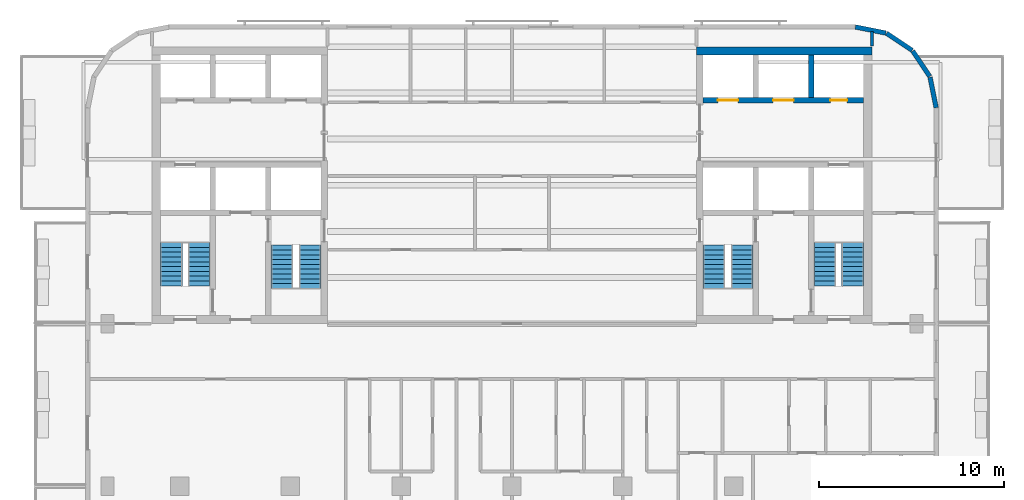
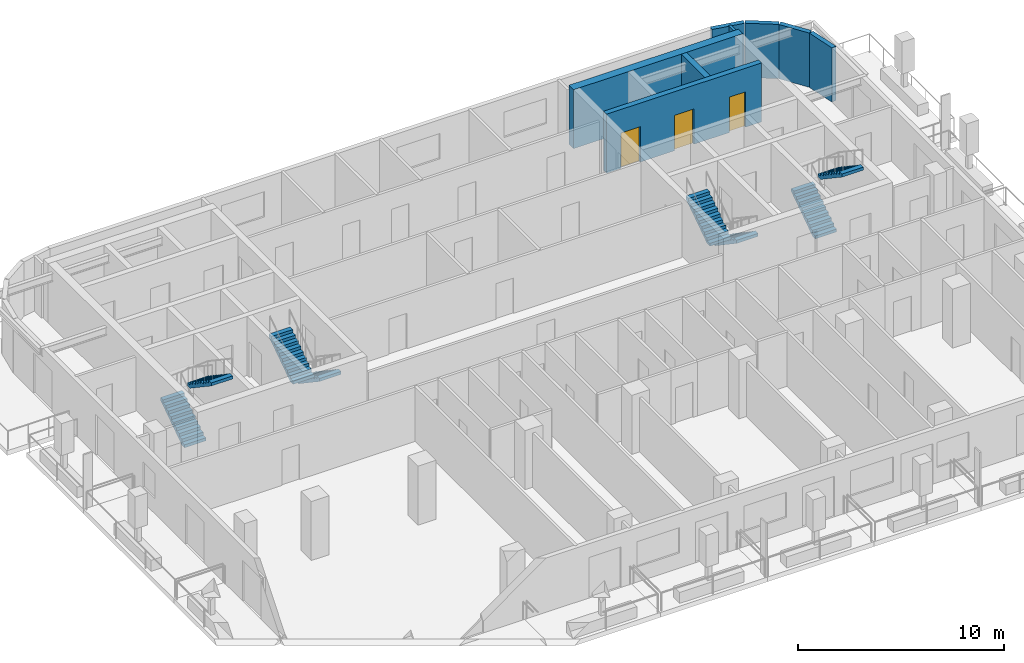
# One storey, part 7 of 11: 8 stair flights, 8 walls, 3 doors, 3 openings, 4 elements without a shape of their own.
"""IFC4 building model written with IfcOpenShell, lengths in metres."""

from ifc_helpers import new_model, si_unit, direction, frame, frame_2d, origin, place, context, subcontext, project, spatial, polyline, rectangle, outline, extrude, material, layer, layer_set, type_object, element, fill, aggregate, save


model = new_model("IFC4")

# Units and contexts
model_context = context("Model", 3, precision=1e-05, world=origin(), true_north=direction((0.0, 1.0)))
body_context = subcontext(model_context, "Body", "Model", "MODEL_VIEW")
ifc_project = project(units=[si_unit("LENGTHUNIT", "METRE"), si_unit("AREAUNIT", "SQUARE_METRE"), si_unit("VOLUMEUNIT", "CUBIC_METRE"), si_unit("PLANEANGLEUNIT", "RADIAN"), si_unit("MASSUNIT", "GRAM", prefix="KILO")], contexts=[model_context])

# Site, building, storey
site_placement = place(None, origin())
site = spatial("IfcSite", under=ifc_project, at=site_placement, CompositionType="ELEMENT")
building_placement = place(site_placement, origin())
building = spatial("IfcBuilding", under=site, at=building_placement, Name="Torana Hotel and Residences", CompositionType="ELEMENT")
storey_placement = place(building_placement, frame((0.0, 0.0, 266.60009765625)))
storey = spatial("IfcBuildingStorey", under=building, at=storey_placement, Name="L70", CompositionType="ELEMENT", Elevation=266.60009765625)

# Wall, openings, doors
ifc_material_1 = material(Name="Concrete C60/75", Category="concrete")
ifc_layer_1 = layer(ifc_material_1, 0.300048828125)
ifc_layer_set_1 = layer_set([ifc_layer_1], Name="CORE WALL 300 C60/75")
wall_type_1 = type_object("IfcWallType", Name="CORE WALL 300 C60/75", PredefinedType="SHEAR", material=ifc_layer_set_1)
wall_1_placement = place(storey_placement, frame((10.35009765625, -2.89990234375, 0.0), z_axis=(0.0, 0.0, 1.0), x_axis=(1.0, 0.0, 0.0)))
wall_1 = element("IfcWall", 1, at=wall_1_placement, inside=storey, type_object=wall_type_1, Name="Core wall E row-N", PredefinedType="SHEAR", context=body_context, shape_type="SweptSolid", body=[
    extrude(rectangle(XDim=8.699951171875, YDim=0.300048828125, at=frame_2d((4.35009765625, 0.0))), origin(), (0.0, 0.0, 1.0), 3.5),
])
opening_1_placement = place(wall_1_placement, frame((0.800048828125, 0.0, 0.0)))
opening_1 = element("IfcOpeningElement", 2, at=opening_1_placement, cuts=wall_1, Name="Opening LD", PredefinedType="OPENING", context=body_context, shape_type="SweptSolid", body=[
    extrude(rectangle(XDim=1.10009765625, YDim=2.10009765625, at=frame_2d((0.550048828125, 1.050048828125))), frame((0.0, 0.159912109375, 0.0), z_axis=(0.0, -1.0, 0.0), x_axis=(1.0, 0.0, 0.0)), (0.0, 0.0, 1.0), 0.320068359375),
])
opening_2_placement = place(wall_1_placement, frame((3.800048828125, 0.0, 0.0)))
opening_2 = element("IfcOpeningElement", 3, at=opening_2_placement, cuts=wall_1, Name="Opening LD", PredefinedType="OPENING", context=body_context, shape_type="SweptSolid", body=[
    extrude(rectangle(XDim=1.10009765625, YDim=2.10009765625, at=frame_2d((0.550048828125, 1.050048828125))), frame((0.0, 0.159912109375, 0.0), z_axis=(0.0, -1.0, 0.0), x_axis=(1.0, 0.0, 0.0)), (0.0, 0.0, 1.0), 0.320068359375),
])
opening_3_placement = place(wall_1_placement, frame((6.89990234375, 0.0, 0.0)))
opening_3 = element("IfcOpeningElement", 4, at=opening_3_placement, cuts=wall_1, Name="Opening L70-14", PredefinedType="OPENING", context=body_context, shape_type="SweptSolid", body=[
    extrude(rectangle(XDim=0.89990234375, YDim=2.10009765625, at=frame_2d((0.449951171875, 1.050048828125))), frame((0.0, 0.159912109375, 0.0), z_axis=(0.0, -1.0, 0.0), x_axis=(1.0, 0.0, 0.0)), (0.0, 0.0, 1.0), 0.320068359375),
])
ifc_material_2 = material(Name="Stainless steel 316", Category="steel")
door_type_1 = type_object("IfcDoorType", Name="LIFT LANDING DOOR LD 1100x2100", OperationType="DOUBLE_DOOR_SLIDING", PredefinedType="USERDEFINED", material=ifc_material_2)
door_1_placement = place(opening_1_placement, origin())
door_1 = element("IfcDoor", 5, at=door_1_placement, inside=storey, type_object=door_type_1, Name="Lift landing door H3 L70", ObjectType="LIFT LANDING DOOR", OperationType="DOUBLE_DOOR_SLIDING", OverallHeight=2.10009765625, OverallWidth=1.10009765625, PredefinedType="USERDEFINED", context=body_context, shape_type="SweptSolid", body=[
    extrude(rectangle(XDim=1.10009765625, YDim=2.10009765625, at=frame_2d((0.550048828125, 1.050048828125))), frame((0.0, 0.02490234375, 0.0), z_axis=(0.0, -1.0, 0.0), x_axis=(1.0, 0.0, 0.0)), (0.0, 0.0, 1.0), 0.050048828125),
])
fill(opening_1, door_1)
door_2_placement = place(opening_2_placement, origin())
door_2 = element("IfcDoor", 6, at=door_2_placement, inside=storey, type_object=door_type_1, Name="Lift landing door H4 L70", ObjectType="LIFT LANDING DOOR", OperationType="DOUBLE_DOOR_SLIDING", OverallHeight=2.10009765625, OverallWidth=1.10009765625, PredefinedType="USERDEFINED", context=body_context, shape_type="SweptSolid", body=[
    extrude(rectangle(XDim=1.10009765625, YDim=2.10009765625, at=frame_2d((0.550048828125, 1.050048828125))), frame((0.0, 0.02490234375, 0.0), z_axis=(0.0, -1.0, 0.0), x_axis=(1.0, 0.0, 0.0)), (0.0, 0.0, 1.0), 0.050048828125),
])
fill(opening_2, door_2)
ifc_material_3 = material(Name="Steel S235", Category="steel")
door_type_2 = type_object("IfcDoorType", Name="RISER ACCESS DOOR D5 900x2100", OperationType="SINGLE_SWING_LEFT", PredefinedType="DOOR", material=ifc_material_3)
door_3_placement = place(opening_3_placement, origin())
door_3 = element("IfcDoor", 7, at=door_3_placement, inside=storey, type_object=door_type_2, Name="N2 door L70", OperationType="SINGLE_SWING_RIGHT", OverallHeight=2.10009765625, OverallWidth=0.89990234375, PredefinedType="DOOR", context=body_context, shape_type="SweptSolid", body=[
    extrude(rectangle(XDim=0.89990234375, YDim=2.10009765625, at=frame_2d((0.449951171875, 1.050048828125))), frame((0.0, 0.02490234375, 0.0), z_axis=(0.0, -1.0, 0.0), x_axis=(1.0, 0.0, 0.0)), (0.0, 0.0, 1.0), 0.050048828125),
])
fill(opening_3, door_3)

# Walls
wall_2_placement = place(storey_placement, frame((16.199951171875, -2.75, 0.0), z_axis=(0.0, 0.0, 1.0), x_axis=(0.0, 1.0, 0.0)))
element("IfcWall", 8, at=wall_2_placement, inside=storey, type_object=wall_type_1, Name="Core wall E x6.05-N", PredefinedType="SHEAR", context=body_context, shape_type="SweptSolid", body=[
    extrude(rectangle(XDim=2.300048828125, YDim=0.300048828125, at=frame_2d((1.14990234375, 0.0))), origin(), (0.0, 0.0, 1.0), 3.5),
])
ifc_material_4 = material(Name="Concrete C60/75", Category="concrete")
ifc_layer_2 = layer(ifc_material_4, 0.449951171875)
ifc_layer_set_2 = layer_set([ifc_layer_2], Name="CORE WALL 450 C60/75")
wall_type_2 = type_object("IfcWallType", Name="CORE WALL 450 C60/75", PredefinedType="SHEAR", material=ifc_layer_set_2)
wall_3_placement = place(storey_placement, frame((10.0, -0.22509765625, 0.0), z_axis=(0.0, 0.0, 1.0), x_axis=(1.0, 0.0, 0.0)))
element("IfcWall", 9, at=wall_3_placement, inside=storey, type_object=wall_type_2, Name="Core wall E rear", PredefinedType="SHEAR", context=body_context, shape_type="SweptSolid", body=[
    extrude(rectangle(XDim=9.5, YDim=0.449951171875, at=frame_2d((4.75, 0.0))), origin(), (0.0, 0.0, 1.0), 3.5),
])
ifc_material_5 = material(Name="Black aluminium composite panel", Category="aluminium")
ifc_layer_3 = layer(ifc_material_5, 0.00390625, Name="Cladding", Category="cladding")
ifc_material_6 = material(Name="Ventilated air cavity")
ifc_layer_4 = layer(ifc_material_6, 0.0400390625, Name="Ventilated cavity", Category="cavity")
ifc_material_7 = material(Name="Mineral wool insulation")
ifc_layer_5 = layer(ifc_material_7, 0.090087890625, Name="Insulation", Category="insulation")
ifc_material_8 = material(Name="Steel S280GD", Category="steel")
ifc_layer_6 = layer(ifc_material_8, 0.092041015625, Name="Steel stud frame", Category="structure")
ifc_material_9 = material(Name="Fire rated plasterboard")
ifc_layer_7 = layer(ifc_material_9, 0.011962890625, Name="Inner board", Category="finish")
ifc_layer_8 = layer(ifc_material_9, 0.011962890625, Name="Second board", Category="finish")
ifc_layer_set_3 = layer_set([ifc_layer_3, ifc_layer_4, ifc_layer_5, ifc_layer_6, ifc_layer_7, ifc_layer_8], Name="EW1 EXTERNAL WALL BLACK METAL CLAD 250")
wall_type_3 = type_object("IfcWallType", Name="EW1 EXTERNAL WALL BLACK METAL CLAD 250", PredefinedType="SOLIDWALL", material=ifc_layer_set_3)
wall_4_placement = place(storey_placement, frame((22.97265625, -3.30029296875, 0.0), z_axis=(0.0, 0.0, 1.0), x_axis=(-0.19513878023, 0.980775640221, 0.0)))
element("IfcWall", 10, at=wall_4_placement, inside=storey, type_object=wall_type_3, Name="External wall L70 e0.0", PredefinedType="SOLIDWALL", context=body_context, shape_type="SweptSolid", body=[
    extrude(rectangle(XDim=1.681396484375, YDim=0.25, at=frame_2d((0.8408203125, 0.0))), origin(), (0.0, 0.0, 1.0), 3.219970703125),
])
for number, where, z_axis, x_axis, name in (
    (11, (22.6259765625, -1.60595703125, 0.0), (0.0, 0.0, 1.0), (-0.55555029066, 0.831482937015, 0.0), "External wall L70 e0.1"),
    (12, (21.671142578125, -0.1943359375, 0.0), (0.0, 0.0, 1.0), (-0.831482937015, 0.55555029066, 0.0), "External wall L70 e0.2"),
):
    element("IfcWall", number, at=place(storey_placement, frame(where, z_axis=z_axis, x_axis=x_axis)), inside=storey, type_object=wall_type_3, Name=name, PredefinedType="SOLIDWALL", context=body_context, shape_type="SweptSolid", body=[
        extrude(rectangle(XDim=1.65625, YDim=0.25, at=frame_2d((0.828125, 0.0))), origin(), (0.0, 0.0, 1.0), 3.219970703125),
    ])
wall_5_placement = place(storey_placement, frame((20.248779296875, 0.74462890625, 0.0), z_axis=(0.0, 0.0, 1.0), x_axis=(-0.980797896849, 0.195026884138, 0.0)))
element("IfcWall", 13, at=wall_5_placement, inside=storey, type_object=wall_type_3, Name="External wall L70 e0.3", PredefinedType="SOLIDWALL", context=body_context, shape_type="SweptSolid", body=[
    extrude(rectangle(XDim=1.68115234375, YDim=0.25, at=frame_2d((0.840576171875, 0.0))), origin(), (0.0, 0.0, 1.0), 3.219970703125),
])
ifc_material_10 = material(Name="Gypsum plasterboard")
ifc_layer_9 = layer(ifc_material_10, 0.012451171875, Name="Plasterboard", Category="finish")
ifc_layer_10 = layer(ifc_material_10, 0.012451171875, Name="Plasterboard", Category="finish")
ifc_layer_11 = layer(ifc_material_8, 0.10009765625, Name="Steel studs with mineral wool", Category="insulation")
ifc_layer_12 = layer(ifc_material_10, 0.012451171875, Name="Plasterboard", Category="finish")
ifc_layer_13 = layer(ifc_material_10, 0.012451171875, Name="Plasterboard", Category="finish")
ifc_layer_set_4 = layer_set([ifc_layer_9, ifc_layer_10, ifc_layer_11, ifc_layer_12, ifc_layer_13], Name="PARTITION 150 PLASTERBOARD")
wall_type_4 = type_object("IfcWallType", Name="PARTITION 150 PLASTERBOARD", PredefinedType="PARTITIONING", material=ifc_layer_set_4)
wall_6_placement = place(storey_placement, frame((19.5, 0.050048828125, 0.0), z_axis=(0.0, 0.0, 1.0), x_axis=(0.0, 1.0, 0.0)))
element("IfcWall", 14, at=wall_6_placement, inside=storey, type_object=wall_type_4, Name="Partition L70", PredefinedType="PARTITIONING", context=body_context, shape_type="SweptSolid", body=[
    extrude(rectangle(XDim=0.787353515625, YDim=0.14990234375, at=frame_2d((0.3935546875, 0.0))), origin(), (0.0, 0.0, 1.0), 3.219970703125),
])

# Stair, stair flights
ifc_material_11 = material(Name="Concrete C40/50 precast", Category="concrete")
stair_type_1 = type_object("IfcStairType", Name="STAIR ST1 HALF TURN 1200", PredefinedType="HALF_TURN_STAIR", material=ifc_material_11)
stair_1_placement = place(storey_placement, origin())
stair_1 = element("IfcStair", 15, at=stair_1_placement, inside=storey, type_object=stair_type_1, Name="Stair ST1 L70", PredefinedType="HALF_TURN_STAIR")
ifc_material_12 = material(Name="Concrete C40/50 precast", Category="concrete")
stair_flight_type = type_object("IfcStairFlightType", Name="STAIR FLIGHT 1200 PRECAST", PredefinedType="STRAIGHT", material=ifc_material_12)
stair_flight_1_placement = place(storey_placement, frame((-10.949951171875, -10.75, 0.0), z_axis=(0.0, 0.0, 1.0), x_axis=(0.0, -1.0, 0.0)))
stair_flight_1 = element("IfcStairFlight", 16, at=stair_flight_1_placement, type_object=stair_flight_type, Name="ST1 flight 1", NumberOfRisers=10, NumberOfTreads=9, PredefinedType="STRAIGHT", RiserHeight=0.175, TreadLength=0.26, context=body_context, shape_type="SweptSolid", body=[
    extrude(outline(polyline([(0.0, 0.0), (0.0, 0.175048828125), (0.260009765625, 0.175048828125), (0.260009765625, 0.35009765625), (0.52001953125, 0.35009765625), (0.52001953125, 0.52490234375), (0.780029296875, 0.52490234375), (0.780029296875, 0.699951171875), (1.0400390625, 0.699951171875), (1.0400390625, 0.875), (1.300048828125, 0.875), (1.300048828125, 1.050048828125), (1.56005859375, 1.050048828125), (1.56005859375, 1.22509765625), (1.820068359375, 1.22509765625), (1.820068359375, 1.39990234375), (2.080078125, 1.39990234375), (2.080078125, 1.574951171875), (2.340087890625, 1.574951171875), (2.340087890625, 1.75), (2.340087890625, 1.394287109375), (0.2685546875, 0.0), (0.0, 0.0)])), frame((0.0, 0.60009765625, 0.0), z_axis=(0.0, -1.0, 0.0), x_axis=(1.0, 0.0, 0.0)), (0.0, 0.0, 1.0), 1.199951171875),
])
stair_flight_2_placement = place(storey_placement, frame((-12.449951171875, -13.090087890625, 1.75), z_axis=(0.0, 0.0, 1.0), x_axis=(0.0, 1.0, 0.0)))
stair_flight_2 = element("IfcStairFlight", 17, at=stair_flight_2_placement, type_object=stair_flight_type, Name="ST1 flight 2", NumberOfRisers=10, NumberOfTreads=9, PredefinedType="STRAIGHT", RiserHeight=0.175, TreadLength=0.26, context=body_context, shape_type="SweptSolid", body=[
    extrude(outline(polyline([(0.0, 0.0), (0.0, 0.175048828125), (0.260009765625, 0.175048828125), (0.260009765625, 0.35009765625), (0.52001953125, 0.35009765625), (0.52001953125, 0.52490234375), (0.780029296875, 0.52490234375), (0.780029296875, 0.699951171875), (1.0400390625, 0.699951171875), (1.0400390625, 0.875), (1.300048828125, 0.875), (1.300048828125, 1.050048828125), (1.56005859375, 1.050048828125), (1.56005859375, 1.22509765625), (1.820068359375, 1.22509765625), (1.820068359375, 1.39990234375), (2.080078125, 1.39990234375), (2.080078125, 1.574951171875), (2.340087890625, 1.574951171875), (2.340087890625, 1.75), (2.340087890625, 1.394287109375), (0.2685546875, 0.0), (0.0, 0.0)])), frame((0.0, 0.60009765625, 0.0), z_axis=(0.0, -1.0, 0.0), x_axis=(1.0, 0.0, 0.0)), (0.0, 0.0, 1.0), 1.199951171875),
])
aggregate(stair_1, [stair_flight_1, stair_flight_2])

ifc_material_13 = material(Name="Concrete C40/50 precast", Category="concrete")
stair_type_2 = type_object("IfcStairType", Name="STAIR ST2 HALF TURN 1200", PredefinedType="HALF_TURN_STAIR", material=ifc_material_13)
stair_2_placement = place(storey_placement, origin())
stair_2 = element("IfcStair", 18, at=stair_2_placement, inside=storey, type_object=stair_type_2, Name="Stair ST2 L70", PredefinedType="HALF_TURN_STAIR")
stair_flight_3_placement = place(storey_placement, frame((-18.449951171875, -12.949951171875, 0.0), z_axis=(0.0, 0.0, 1.0), x_axis=(0.0, 1.0, 0.0)))
stair_flight_3 = element("IfcStairFlight", 19, at=stair_flight_3_placement, type_object=stair_flight_type, Name="ST2 flight 1", NumberOfRisers=10, NumberOfTreads=9, PredefinedType="STRAIGHT", RiserHeight=0.175, TreadLength=0.26, context=body_context, shape_type="SweptSolid", body=[
    extrude(outline(polyline([(0.0, 0.0), (0.0, 0.175048828125), (0.260009765625, 0.175048828125), (0.260009765625, 0.35009765625), (0.52001953125, 0.35009765625), (0.52001953125, 0.52490234375), (0.780029296875, 0.52490234375), (0.780029296875, 0.699951171875), (1.0400390625, 0.699951171875), (1.0400390625, 0.875), (1.300048828125, 0.875), (1.300048828125, 1.050048828125), (1.56005859375, 1.050048828125), (1.56005859375, 1.22509765625), (1.820068359375, 1.22509765625), (1.820068359375, 1.39990234375), (2.080078125, 1.39990234375), (2.080078125, 1.574951171875), (2.340087890625, 1.574951171875), (2.340087890625, 1.75), (2.340087890625, 1.394287109375), (0.2685546875, 0.0), (0.0, 0.0)])), frame((0.0, 0.60009765625, 0.0), z_axis=(0.0, -1.0, 0.0), x_axis=(1.0, 0.0, 0.0)), (0.0, 0.0, 1.0), 1.199951171875),
])
stair_flight_4_placement = place(storey_placement, frame((-16.949951171875, -10.610107421875, 1.75), z_axis=(0.0, 0.0, 1.0), x_axis=(0.0, -1.0, 0.0)))
stair_flight_4 = element("IfcStairFlight", 20, at=stair_flight_4_placement, type_object=stair_flight_type, Name="ST2 flight 2", NumberOfRisers=10, NumberOfTreads=9, PredefinedType="STRAIGHT", RiserHeight=0.175, TreadLength=0.26, context=body_context, shape_type="SweptSolid", body=[
    extrude(outline(polyline([(0.0, 0.0), (0.0, 0.175048828125), (0.260009765625, 0.175048828125), (0.260009765625, 0.35009765625), (0.52001953125, 0.35009765625), (0.52001953125, 0.52490234375), (0.780029296875, 0.52490234375), (0.780029296875, 0.699951171875), (1.0400390625, 0.699951171875), (1.0400390625, 0.875), (1.300048828125, 0.875), (1.300048828125, 1.050048828125), (1.56005859375, 1.050048828125), (1.56005859375, 1.22509765625), (1.820068359375, 1.22509765625), (1.820068359375, 1.39990234375), (2.080078125, 1.39990234375), (2.080078125, 1.574951171875), (2.340087890625, 1.574951171875), (2.340087890625, 1.75), (2.340087890625, 1.394287109375), (0.2685546875, 0.0), (0.0, 0.0)])), frame((0.0, 0.60009765625, 0.0), z_axis=(0.0, -1.0, 0.0), x_axis=(1.0, 0.0, 0.0)), (0.0, 0.0, 1.0), 1.199951171875),
])
aggregate(stair_2, [stair_flight_3, stair_flight_4])

ifc_material_14 = material(Name="Concrete C40/50 precast", Category="concrete")
stair_type_3 = type_object("IfcStairType", Name="STAIR ST3 HALF TURN 1200", PredefinedType="HALF_TURN_STAIR", material=ifc_material_14)
stair_3_placement = place(storey_placement, origin())
stair_3 = element("IfcStair", 21, at=stair_3_placement, inside=storey, type_object=stair_type_3, Name="Stair ST3 L70", PredefinedType="HALF_TURN_STAIR")
stair_flight_5_placement = place(storey_placement, frame((12.449951171875, -10.75, 0.0), z_axis=(0.0, 0.0, 1.0), x_axis=(0.0, -1.0, 0.0)))
stair_flight_5 = element("IfcStairFlight", 22, at=stair_flight_5_placement, type_object=stair_flight_type, Name="ST3 flight 1", NumberOfRisers=10, NumberOfTreads=9, PredefinedType="STRAIGHT", RiserHeight=0.175, TreadLength=0.26, context=body_context, shape_type="SweptSolid", body=[
    extrude(outline(polyline([(0.0, 0.0), (0.0, 0.175048828125), (0.260009765625, 0.175048828125), (0.260009765625, 0.35009765625), (0.52001953125, 0.35009765625), (0.52001953125, 0.52490234375), (0.780029296875, 0.52490234375), (0.780029296875, 0.699951171875), (1.0400390625, 0.699951171875), (1.0400390625, 0.875), (1.300048828125, 0.875), (1.300048828125, 1.050048828125), (1.56005859375, 1.050048828125), (1.56005859375, 1.22509765625), (1.820068359375, 1.22509765625), (1.820068359375, 1.39990234375), (2.080078125, 1.39990234375), (2.080078125, 1.574951171875), (2.340087890625, 1.574951171875), (2.340087890625, 1.75), (2.340087890625, 1.394287109375), (0.2685546875, 0.0), (0.0, 0.0)])), frame((0.0, 0.60009765625, 0.0), z_axis=(0.0, -1.0, 0.0), x_axis=(1.0, 0.0, 0.0)), (0.0, 0.0, 1.0), 1.199951171875),
])
stair_flight_6_placement = place(storey_placement, frame((10.949951171875, -13.090087890625, 1.75), z_axis=(0.0, 0.0, 1.0), x_axis=(0.0, 1.0, 0.0)))
stair_flight_6 = element("IfcStairFlight", 23, at=stair_flight_6_placement, type_object=stair_flight_type, Name="ST3 flight 2", NumberOfRisers=10, NumberOfTreads=9, PredefinedType="STRAIGHT", RiserHeight=0.175, TreadLength=0.26, context=body_context, shape_type="SweptSolid", body=[
    extrude(outline(polyline([(0.0, 0.0), (0.0, 0.175048828125), (0.260009765625, 0.175048828125), (0.260009765625, 0.35009765625), (0.52001953125, 0.35009765625), (0.52001953125, 0.52490234375), (0.780029296875, 0.52490234375), (0.780029296875, 0.699951171875), (1.0400390625, 0.699951171875), (1.0400390625, 0.875), (1.300048828125, 0.875), (1.300048828125, 1.050048828125), (1.56005859375, 1.050048828125), (1.56005859375, 1.22509765625), (1.820068359375, 1.22509765625), (1.820068359375, 1.39990234375), (2.080078125, 1.39990234375), (2.080078125, 1.574951171875), (2.340087890625, 1.574951171875), (2.340087890625, 1.75), (2.340087890625, 1.394287109375), (0.2685546875, 0.0), (0.0, 0.0)])), frame((0.0, 0.60009765625, 0.0), z_axis=(0.0, -1.0, 0.0), x_axis=(1.0, 0.0, 0.0)), (0.0, 0.0, 1.0), 1.199951171875),
])
aggregate(stair_3, [stair_flight_5, stair_flight_6])

ifc_material_15 = material(Name="Concrete C40/50 precast", Category="concrete")
stair_type_4 = type_object("IfcStairType", Name="STAIR ST4 HALF TURN 1200", PredefinedType="HALF_TURN_STAIR", material=ifc_material_15)
stair_4_placement = place(storey_placement, origin())
stair_4 = element("IfcStair", 24, at=stair_4_placement, inside=storey, type_object=stair_type_4, Name="Stair ST4 L70", PredefinedType="HALF_TURN_STAIR")
stair_flight_7_placement = place(storey_placement, frame((16.949951171875, -12.949951171875, 0.0), z_axis=(0.0, 0.0, 1.0), x_axis=(0.0, 1.0, 0.0)))
stair_flight_7 = element("IfcStairFlight", 25, at=stair_flight_7_placement, type_object=stair_flight_type, Name="ST4 flight 1", NumberOfRisers=10, NumberOfTreads=9, PredefinedType="STRAIGHT", RiserHeight=0.175, TreadLength=0.26, context=body_context, shape_type="SweptSolid", body=[
    extrude(outline(polyline([(0.0, 0.0), (0.0, 0.175048828125), (0.260009765625, 0.175048828125), (0.260009765625, 0.35009765625), (0.52001953125, 0.35009765625), (0.52001953125, 0.52490234375), (0.780029296875, 0.52490234375), (0.780029296875, 0.699951171875), (1.0400390625, 0.699951171875), (1.0400390625, 0.875), (1.300048828125, 0.875), (1.300048828125, 1.050048828125), (1.56005859375, 1.050048828125), (1.56005859375, 1.22509765625), (1.820068359375, 1.22509765625), (1.820068359375, 1.39990234375), (2.080078125, 1.39990234375), (2.080078125, 1.574951171875), (2.340087890625, 1.574951171875), (2.340087890625, 1.75), (2.340087890625, 1.394287109375), (0.2685546875, 0.0), (0.0, 0.0)])), frame((0.0, 0.60009765625, 0.0), z_axis=(0.0, -1.0, 0.0), x_axis=(1.0, 0.0, 0.0)), (0.0, 0.0, 1.0), 1.199951171875),
])
stair_flight_8_placement = place(storey_placement, frame((18.449951171875, -10.610107421875, 1.75), z_axis=(0.0, 0.0, 1.0), x_axis=(0.0, -1.0, 0.0)))
stair_flight_8 = element("IfcStairFlight", 26, at=stair_flight_8_placement, type_object=stair_flight_type, Name="ST4 flight 2", NumberOfRisers=10, NumberOfTreads=9, PredefinedType="STRAIGHT", RiserHeight=0.175, TreadLength=0.26, context=body_context, shape_type="SweptSolid", body=[
    extrude(outline(polyline([(0.0, 0.0), (0.0, 0.175048828125), (0.260009765625, 0.175048828125), (0.260009765625, 0.35009765625), (0.52001953125, 0.35009765625), (0.52001953125, 0.52490234375), (0.780029296875, 0.52490234375), (0.780029296875, 0.699951171875), (1.0400390625, 0.699951171875), (1.0400390625, 0.875), (1.300048828125, 0.875), (1.300048828125, 1.050048828125), (1.56005859375, 1.050048828125), (1.56005859375, 1.22509765625), (1.820068359375, 1.22509765625), (1.820068359375, 1.39990234375), (2.080078125, 1.39990234375), (2.080078125, 1.574951171875), (2.340087890625, 1.574951171875), (2.340087890625, 1.75), (2.340087890625, 1.394287109375), (0.2685546875, 0.0), (0.0, 0.0)])), frame((0.0, 0.60009765625, 0.0), z_axis=(0.0, -1.0, 0.0), x_axis=(1.0, 0.0, 0.0)), (0.0, 0.0, 1.0), 1.199951171875),
])
aggregate(stair_4, [stair_flight_7, stair_flight_8])

save(model, "model.ifc")
